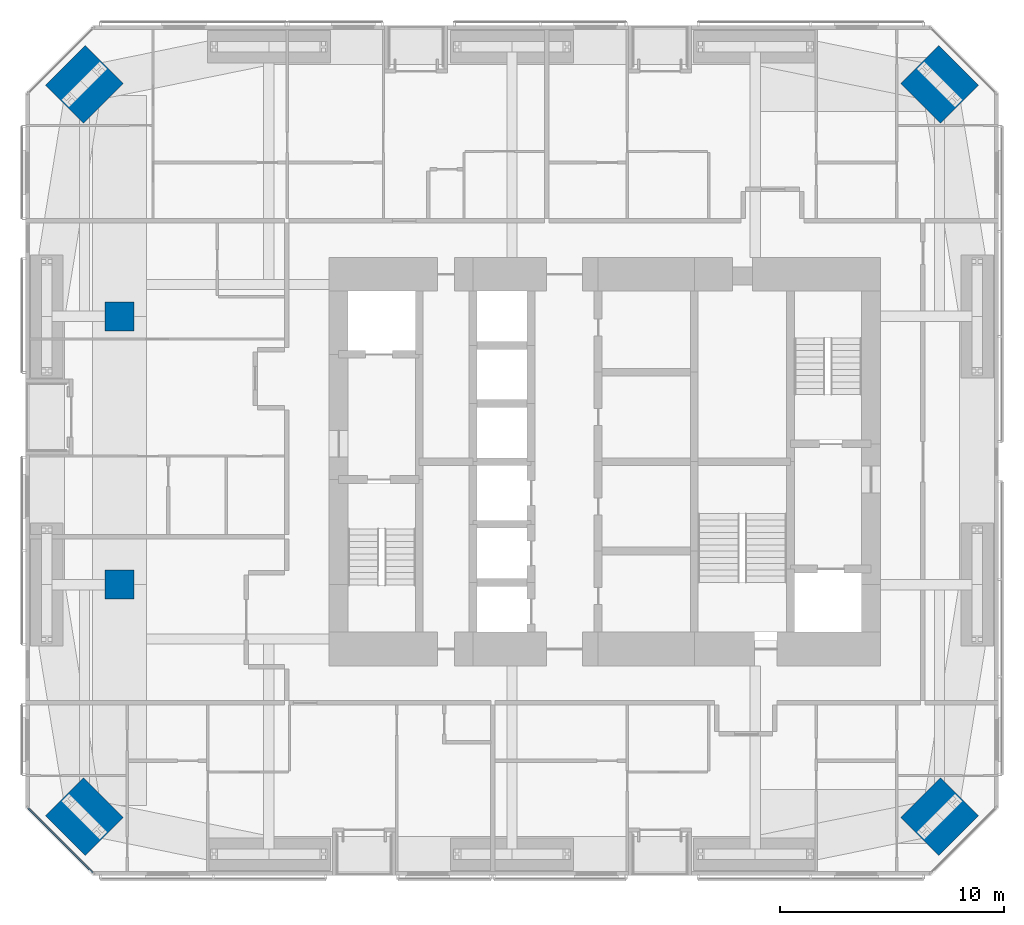
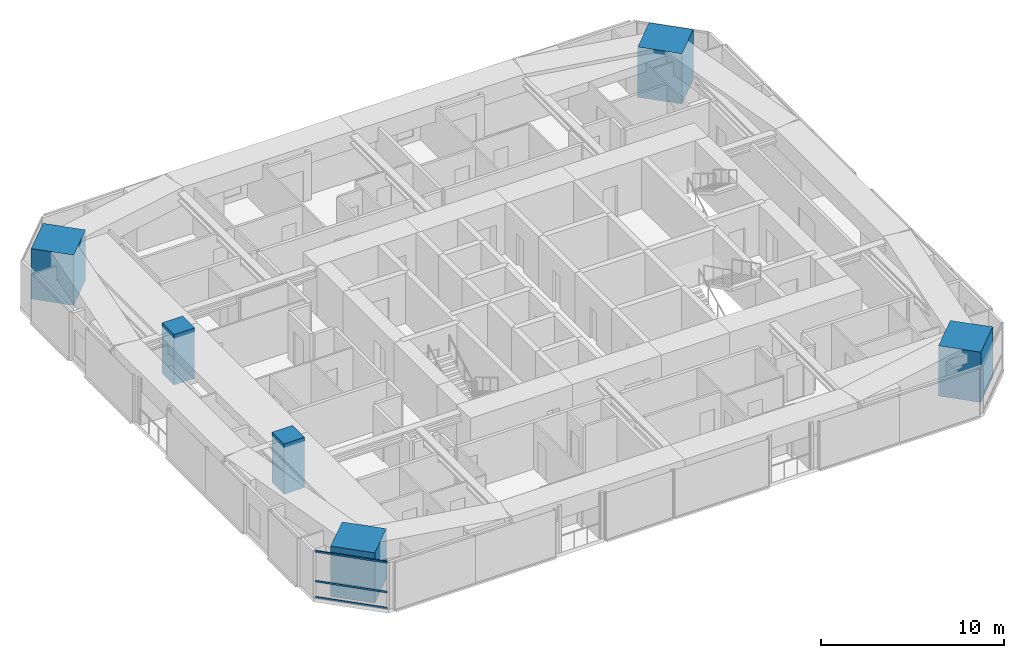
# One storey, part 1 of 24: 6 columns, 3 members, 1 element without a shape of its own.
"""IFC4 building model written with IfcOpenShell, lengths in metres."""

import ifcopenshell
import ifcopenshell.guid

model = None  # the IFC model being written
_history = None  # IfcOwnerHistory: only IFC2X3 demands one
_inside = {}  # id of a spatial element -> (the spatial element, [elements in it])
_under = {}  # id of a project, library or spatial element -> (it, [spatial elements below it])
_declared = {}  # id of a project -> (the project, [libraries it declares])
_typed = {}  # id of a type object -> (the type object, [elements of that type])
_made_of = {}  # id of a material, layer set ... -> (it, [elements and type objects made of it])


def new_model(schema):
    """Start an empty IFC model of exactly this schema.

    Asked for "IFC4X3", IfcOpenShell would pick the latest addendum, in which some entities
    have other attributes; the version numbers below select the first issue.
    IFC2X3 requires an IfcOwnerHistory on every rooted entity: one is made here for all.
    """
    global model, _history
    if schema == "IFC4X3":
        model = ifcopenshell.file(schema_version=(4, 3, 0, 0))
    else:
        model = ifcopenshell.file(schema=schema)
    _inside.clear()
    _under.clear()
    _declared.clear()
    _typed.clear()
    _made_of.clear()
    _history = None
    if model.schema == "IFC2X3":
        org = make("IfcOrganization", Name="unknown")
        user = make(
            "IfcPersonAndOrganization",
            ThePerson=make("IfcPerson", FamilyName="unknown"),
            TheOrganization=org,
        )
        app = make(
            "IfcApplication",
            ApplicationDeveloper=org,
            Version="unknown",
            ApplicationFullName="unknown",
            ApplicationIdentifier="unknown",
        )
        _history = make(
            "IfcOwnerHistory",
            OwningUser=user,
            OwningApplication=app,
            ChangeAction="ADDED",
            CreationDate=0,
        )
    return model


def make(cls, **values):
    """One entity of the class cls with the attributes given. An attribute that is None is left unset."""
    return model.create_entity(
        cls, **{name: value for name, value in values.items() if value is not None}
    )


def rooted(cls, **values):
    """An entity with a GlobalId (a new one), such as an element, a storey or a relation."""
    return make(cls, GlobalId=ifcopenshell.guid.new(), OwnerHistory=_history, **values)


def si_unit(unit_type, name, prefix=None):
    """IfcSIUnit, for example si_unit("LENGTHUNIT", "METRE", prefix="MILLI")."""
    return make("IfcSIUnit", UnitType=unit_type, Prefix=prefix, Name=name)


def assignment(units):
    """IfcUnitAssignment: the units of a project."""
    return None if units is None else make("IfcUnitAssignment", Units=units)


def point(xyz):
    """IfcCartesianPoint."""
    return None if xyz is None else make("IfcCartesianPoint", Coordinates=xyz)


def direction(xyz):
    """IfcDirection."""
    return None if xyz is None else make("IfcDirection", DirectionRatios=xyz)


def frame(location, z_axis=None, x_axis=None):
    """IfcAxis2Placement3D, a coordinate frame: its origin and axes. An axis left out is left unset."""
    return make(
        "IfcAxis2Placement3D",
        Location=point(location),
        Axis=direction(z_axis),
        RefDirection=direction(x_axis),
    )


def frame_2d(location, x_axis=None):
    """IfcAxis2Placement2D, a coordinate frame in the plane: its origin and x axis."""
    return make(
        "IfcAxis2Placement2D", Location=point(location), RefDirection=direction(x_axis)
    )


def origin():
    """The frame at (0, 0, 0) with its axes left unset."""
    return frame((0.0, 0.0, 0.0))


def origin_2d():
    """The frame at (0, 0) in the plane with its x axis left unset."""
    return frame_2d((0.0, 0.0))


def place(relative_to, where):
    """IfcLocalPlacement: puts the frame where relative to a parent placement (None: the world)."""
    return make(
        "IfcLocalPlacement", PlacementRelTo=relative_to, RelativePlacement=where
    )


def context(
    kind, dimensions, precision=None, world=None, true_north=None, identifier=None
):
    """IfcGeometricRepresentationContext, for example the 3D "Model" context."""
    return make(
        "IfcGeometricRepresentationContext",
        ContextIdentifier=identifier,
        ContextType=kind,
        CoordinateSpaceDimension=dimensions,
        Precision=precision,
        WorldCoordinateSystem=world,
        TrueNorth=true_north,
    )


def subcontext(parent, identifier, kind, view, scale=None):
    """IfcGeometricRepresentationSubContext, for example "Body" below "Model"."""
    return make(
        "IfcGeometricRepresentationSubContext",
        ContextIdentifier=identifier,
        ContextType=kind,
        ParentContext=parent,
        TargetScale=scale,
        TargetView=view,
    )


def project(units=None, contexts=None):
    """IfcProject with its units and contexts."""
    return rooted(
        "IfcProject",
        Name="project",
        RepresentationContexts=contexts,
        UnitsInContext=assignment(units),
    )


def spatial(cls, under=None, at=None, **own):
    """A site, building, storey or space (cls), placed at a placement, below another one or the project."""
    s = rooted(cls, ObjectPlacement=at, **own)
    if under is not None:
        _under.setdefault(under.id(), (under, []))[1].append(s)
    return s


def profile(cls, at=None, kind="AREA", **sizes):
    """A parametric profile (cls). Its sizes go by their IFC names, for example OverallWidth=200.0."""
    return make(cls, ProfileType=kind, Position=at, **sizes)


def rectangle(**sizes):
    """IfcRectangleProfileDef."""
    return profile("IfcRectangleProfileDef", **sizes)


def extrude(swept, where, along, depth):
    """IfcExtrudedAreaSolid: the profile swept, set in the frame where, extruded along a direction by depth."""
    return make(
        "IfcExtrudedAreaSolid",
        SweptArea=swept,
        Position=where,
        ExtrudedDirection=direction(along),
        Depth=depth,
    )


def shape(context_of_items, identifier, shape_type, items):
    """IfcShapeRepresentation: the items that make up one representation, for example the "Body"."""
    return make(
        "IfcShapeRepresentation",
        ContextOfItems=context_of_items,
        RepresentationIdentifier=identifier,
        RepresentationType=shape_type,
        Items=items,
    )


def material(Name=None, Category=None):
    """IfcMaterial."""
    return make("IfcMaterial", Name=Name, Category=Category)


def material_profile(
    of_material, cross_section, Name=None, Category=None, Priority=None
):
    """IfcMaterialProfile: a cross section and its material."""
    return make(
        "IfcMaterialProfile",
        Name=Name,
        Material=of_material,
        Profile=cross_section,
        Priority=Priority,
        Category=Category,
    )


def profile_set(profiles, Name=None, composite=None):
    """IfcMaterialProfileSet."""
    return make(
        "IfcMaterialProfileSet",
        Name=Name,
        MaterialProfiles=profiles,
        CompositeProfile=composite,
    )


def made_of(thing, what):
    """Note that an element or type object is made of a material, layer set ...; save() writes the relation."""
    if what is not None:
        _made_of.setdefault(what.id(), (what, []))[1].append(thing)
    return thing


def type_object(cls, material=None, **own):
    """A type object (cls), such as IfcWallType, which elements share."""
    return made_of(rooted(cls, **own), material)


def element(
    cls,
    number,
    at=None,
    inside=None,
    cuts=None,
    type_object=None,
    material=None,
    context=None,
    identifier="Body",
    shape_type=None,
    held_by="IfcProductDefinitionShape",
    body=None,
    shapes=None,
    **own,
):
    """One element of the class cls, such as IfcWall. Its Tag is "e" and its number.

    at: its placement. inside: the storey or other place that contains it. cuts: it is an
    opening in that element (IfcRelVoidsElement). A single representation is given by context,
    identifier, shape_type and body (its items); several are given by shapes. held_by: the class
    of the entity that holds the representations. save() writes the other relations.
    """
    e = rooted(cls, Tag="e%d" % number, ObjectPlacement=at, **own)
    if body is not None:
        shapes = [shape(context, identifier, shape_type, body)]
    if shapes is not None:
        e.Representation = make(held_by, Representations=shapes)
    if inside is not None:
        _inside.setdefault(inside.id(), (inside, []))[1].append(e)
    if cuts is not None:
        rooted(
            "IfcRelVoidsElement", RelatingBuildingElement=cuts, RelatedOpeningElement=e
        )
    if type_object is not None:
        _typed.setdefault(type_object.id(), (type_object, []))[1].append(e)
    return made_of(e, material)


def aggregate(whole, parts):
    """IfcRelAggregates: a whole, such as a stair, and the parts it consists of."""
    return rooted("IfcRelAggregates", RelatingObject=whole, RelatedObjects=parts)


def save(model, path):
    """Write the relations noted so far, then the file.

    IfcRelAggregates (storeys below a building ...), IfcRelContainedInSpatialStructure (elements
    in a storey), IfcRelDefinesByType, IfcRelAssociatesMaterial and IfcRelDeclares: one each for
    every whole, place, type object, material and project.
    """
    for whole, parts in _under.values():
        aggregate(whole, parts)
    for where, things in _inside.values():
        rooted(
            "IfcRelContainedInSpatialStructure",
            RelatedElements=things,
            RelatingStructure=where,
        )
    for kind, things in _typed.values():
        rooted("IfcRelDefinesByType", RelatedObjects=things, RelatingType=kind)
    for what, things in _made_of.values():
        rooted("IfcRelAssociatesMaterial", RelatedObjects=things, RelatingMaterial=what)
    for by, libraries in _declared.values():
        rooted("IfcRelDeclares", RelatingContext=by, RelatedDefinitions=libraries)
    model.write(path)


model = new_model("IFC4")

# Units and contexts
model_context = context("Model", 3, precision=1e-05, world=origin(), true_north=direction((0.0, 1.0)))
body_context = subcontext(model_context, "Body", "Model", "MODEL_VIEW")
ifc_project = project(units=[si_unit("LENGTHUNIT", "METRE"), si_unit("AREAUNIT", "SQUARE_METRE"), si_unit("VOLUMEUNIT", "CUBIC_METRE"), si_unit("PLANEANGLEUNIT", "RADIAN"), si_unit("MASSUNIT", "GRAM", prefix="KILO")], contexts=[model_context])

# Site, building, storey
site_placement = place(None, origin())
site = spatial("IfcSite", under=ifc_project, at=site_placement, CompositionType="ELEMENT")
building_placement = place(site_placement, origin())
building = spatial("IfcBuilding", under=site, at=building_placement, Name="Jalousie Tower", CompositionType="ELEMENT")
storey_placement = place(building_placement, frame((0.0, 0.0, 128.300048828125)))
storey = spatial("IfcBuildingStorey", under=building, at=storey_placement, Name="L35", CompositionType="ELEMENT", Elevation=128.300048828125)

# Columns
ifc_material_1 = material(Name="Concrete f'c 120 MPa", Category="concrete")
ifc_material_profile_1 = material_profile(ifc_material_1, rectangle(XDim=1.300048828125, YDim=1.300048828125, at=origin_2d()), Name="RC 1300x1300")
ifc_profile_set_1 = profile_set([ifc_material_profile_1], Name="Concrete f'c 120 MPa")
column_type_1 = type_object("IfcColumnType", Name="RC COLUMN 1300x1300", PredefinedType="COLUMN", material=ifc_profile_set_1)
for number, where, z_axis, x_axis, name in (
    (1, (10.199951171875, 13.0, 0.0), (0.0, 0.0, 1.0), (1.0, 0.0, 0.0), "Interior column IB1 L35"),
    (2, (10.199951171875, 25.0, 0.0), (0.0, 0.0, 1.0), (1.0, 0.0, 0.0), "Interior column IB2 L35"),
):
    element("IfcColumn", number, at=place(storey_placement, frame(where, z_axis=z_axis, x_axis=x_axis)), inside=storey, type_object=column_type_1, Name=name, PredefinedType="COLUMN", context=body_context, shape_type="SweptSolid", body=[
        extrude(rectangle(XDim=1.300048828125, YDim=1.300048828125, at=origin_2d()), origin(), (0.0, 0.0, 1.0), 3.349853515625),
    ])
ifc_material_2 = material(Name="Concrete f'c 120 MPa", Category="concrete")
ifc_material_profile_2 = material_profile(ifc_material_2, rectangle(XDim=2.39990234375, YDim=2.5, at=origin_2d()), Name="RC 2400x2500")
ifc_profile_set_2 = profile_set([ifc_material_profile_2], Name="Concrete f'c 120 MPa")
column_type_2 = type_object("IfcColumnType", Name="RC CORNER COLUMN 2400x2500", PredefinedType="COLUMN", material=ifc_profile_set_2)
for number, where, z_axis, x_axis, name in (
    (3, (8.63134765625, 2.63134765625, 0.0), (0.0, 0.0, 1.0), (0.707106781187, 0.707106781187, 0.0), "Corner column 01 L35"),
    (4, (46.86865234375, 2.63134765625, 0.0), (0.0, 0.0, 1.0), (-0.707106781187, 0.707106781187, 0.0), "Corner column 05 L35"),
    (5, (46.86865234375, 35.36865234375, 0.0), (0.0, 0.0, 1.0), (-0.707106781187, -0.707106781187, 0.0), "Corner column 08 L35"),
    (6, (8.63134765625, 35.36865234375, 0.0), (0.0, 0.0, 1.0), (0.707106781187, -0.707106781187, 0.0), "Corner column 12 L35"),
):
    element("IfcColumn", number, at=place(storey_placement, frame(where, z_axis=z_axis, x_axis=x_axis)), inside=storey, type_object=column_type_2, Name=name, PredefinedType="COLUMN", context=body_context, shape_type="SweptSolid", body=[
        extrude(rectangle(XDim=2.39990234375, YDim=2.5, at=origin_2d()), origin(), (0.0, 0.0, 1.0), 3.349853515625),
    ])

# Curtain wall, members
ifc_material_3 = material(Name="Aluminium curtain wall", Category="aluminium")
curtain_wall_type = type_object("IfcCurtainWallType", Name="CORNER WINDOW WALL", PredefinedType="USERDEFINED", material=ifc_material_3)
curtain_wall_placement = place(storey_placement, origin())
curtain_wall = element("IfcCurtainWall", 7, at=curtain_wall_placement, inside=storey, type_object=curtain_wall_type, Name="Corner Window Wall L35 8", ObjectType="CORNER WINDOW WALL", PredefinedType="USERDEFINED")
ifc_material_4 = material(Name="Aluminium transom", Category="aluminium")
ifc_material_profile_3 = material_profile(ifc_material_4, rectangle(XDim=0.06005859375, YDim=0.1201171875, at=origin_2d()), Name="TRANSOM 60x120")
ifc_profile_set_3 = profile_set([ifc_material_profile_3], Name="Aluminium transom")
member_type = type_object("IfcMemberType", Name="CORNER WINDOW WALL TRANSOM", PredefinedType="USERDEFINED", material=ifc_profile_set_3)
member_1_placement = place(storey_placement, frame((6.1298828125, 3.0087890625, 0.030029296875), z_axis=(0.707106781187, -0.707106781187, 0.0), x_axis=(0.707106781187, 0.707106781187, 0.0)))
member_1 = element("IfcMember", 8, at=member_1_placement, type_object=member_type, Name="CW-C transom 1.1", ObjectType="TRANSOM", PredefinedType="USERDEFINED", context=body_context, shape_type="SweptSolid", body=[
    extrude(rectangle(XDim=0.06005859375, YDim=0.1201171875, at=origin_2d()), origin(), (0.0, 0.0, 1.0), 4.0712890625),
])
member_2_placement = place(storey_placement, frame((6.1298828125, 3.0087890625, 1.099853515625), z_axis=(0.707106781187, -0.707106781187, 0.0), x_axis=(0.707106781187, 0.707106781187, 0.0)))
member_2 = element("IfcMember", 9, at=member_2_placement, type_object=member_type, Name="CW-C transom 1.2", ObjectType="TRANSOM", PredefinedType="USERDEFINED", context=body_context, shape_type="SweptSolid", body=[
    extrude(rectangle(XDim=0.06005859375, YDim=0.1201171875, at=origin_2d()), origin(), (0.0, 0.0, 1.0), 4.0712890625),
])
member_3_placement = place(storey_placement, frame((6.1298828125, 3.0087890625, 3.079833984375), z_axis=(0.707106781187, -0.707106781187, 0.0), x_axis=(0.707106781187, 0.707106781187, 0.0)))
member_3 = element("IfcMember", 10, at=member_3_placement, type_object=member_type, Name="CW-C transom 1.3", ObjectType="TRANSOM", PredefinedType="USERDEFINED", context=body_context, shape_type="SweptSolid", body=[
    extrude(rectangle(XDim=0.06005859375, YDim=0.1201171875, at=origin_2d()), origin(), (0.0, 0.0, 1.0), 4.0712890625),
])
aggregate(curtain_wall, [member_1, member_2, member_3])

save(model, "model.ifc")
